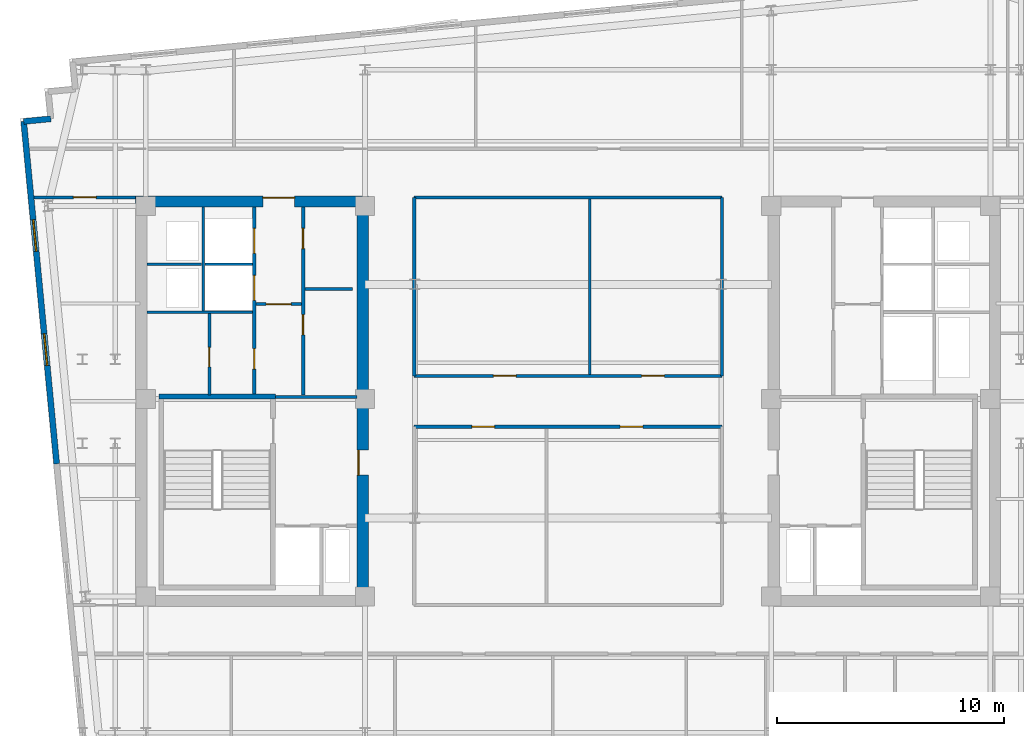
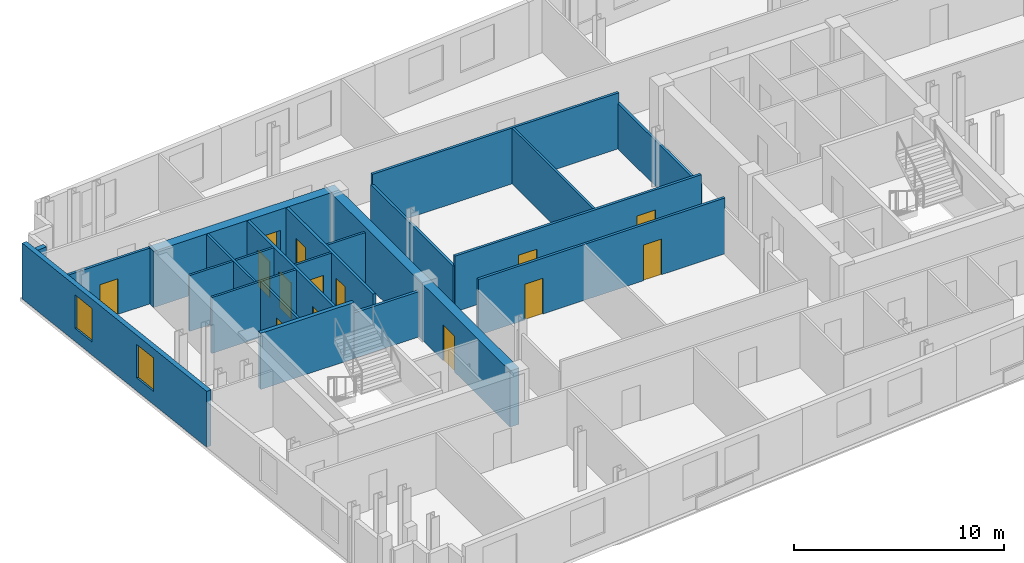
# One storey, part 4 of 9: 22 walls, 14 doors, 2 windows, 16 openings.
"""IFC4 building model written with IfcOpenShell, lengths in metres."""

from ifc_helpers import new_model, si_unit, direction, frame, frame_2d, origin, place, context, subcontext, project, spatial, rectangle, extrude, material, layer, layer_set, type_object, element, fill, save


model = new_model("IFC4")

# Units and contexts
model_context = context("Model", 3, precision=1e-05, world=origin(), true_north=direction((0.0, 1.0)))
body_context = subcontext(model_context, "Body", "Model", "MODEL_VIEW")
ifc_project = project(units=[si_unit("LENGTHUNIT", "METRE"), si_unit("AREAUNIT", "SQUARE_METRE"), si_unit("VOLUMEUNIT", "CUBIC_METRE"), si_unit("PLANEANGLEUNIT", "RADIAN"), si_unit("MASSUNIT", "GRAM", prefix="KILO")], contexts=[model_context])

# Site, building, storey
site_placement = place(None, origin())
site = spatial("IfcSite", under=ifc_project, at=site_placement, CompositionType="ELEMENT")
building_placement = place(site_placement, origin())
building = spatial("IfcBuilding", under=site, at=building_placement, Name="Velakula Bourse", CompositionType="ELEMENT")
storey_placement = place(building_placement, frame((0.0, 0.0, 262.050048828125)))
storey = spatial("IfcBuildingStorey", under=building, at=storey_placement, Name="L71", CompositionType="ELEMENT", Elevation=262.050048828125)

# Wall
ifc_material_1 = material(Name="Concrete M50 (fck 50 MPa)", Category="concrete")
ifc_layer_1 = layer(ifc_material_1, 0.2099609375, Name="Concrete M50 (fck 50 MPa)", Category="concrete")
ifc_layer_set_1 = layer_set([ifc_layer_1], Name="Concrete M50 (fck 50 MPa)")
wall_type_1 = type_object("IfcWallType", Name="WL-CORE-210", PredefinedType="SHEAR", material=ifc_layer_set_1)
wall_1_placement = place(storey_placement, frame((-12.889892578125, 0.205078125, 0.0), z_axis=(0.0, 0.0, 1.0), x_axis=(-1.0, 0.0, 0.0)))
element("IfcWall", 1, at=wall_1_placement, inside=storey, type_object=wall_type_1, Name="L71 Core W Stairwell Shear Wall N", PredefinedType="SHEAR", context=body_context, shape_type="SweptSolid", body=[
    extrude(rectangle(XDim=5.14013671875, YDim=0.2099609375, at=frame_2d((2.570068359375, 0.0))), origin(), (0.0, 0.0, 1.0), 3.27001953125),
])

# Wall, opening, door
ifc_layer_2 = layer(ifc_material_1, 0.5, Name="Concrete M50 (fck 50 MPa)", Category="concrete")
ifc_layer_set_2 = layer_set([ifc_layer_2], Name="Concrete M50 (fck 50 MPa)")
wall_type_2 = type_object("IfcWallType", Name="WL-CORE-500", PredefinedType="SHEAR", material=ifc_layer_set_2)
wall_2_placement = place(storey_placement, frame((-19.050048828125, 8.800048828125, 0.0), z_axis=(0.0, 0.0, 1.0), x_axis=(1.0, 0.0, 0.0)))
wall_2 = element("IfcWall", 2, at=wall_2_placement, inside=storey, type_object=wall_type_2, Name="L71 Core W Shear Wall N", PredefinedType="SHEAR", context=body_context, shape_type="SweptSolid", body=[
    extrude(rectangle(XDim=10.25, YDim=0.5, at=frame_2d((5.125, 0.0))), origin(), (0.0, 0.0, 1.0), 3.27001953125),
])
opening_1_placement = place(wall_2_placement, frame((5.60009765625, 0.0, 0.0)))
opening_1 = element("IfcOpeningElement", 3, at=opening_1_placement, cuts=wall_2, Name="Opening D-LLW", PredefinedType="OPENING", context=body_context, shape_type="SweptSolid", body=[
    extrude(rectangle(XDim=1.39990234375, YDim=2.050048828125, at=frame_2d((0.699951171875, 1.02490234375))), frame((0.0, 0.260009765625, 0.0), z_axis=(0.0, -1.0, 0.0), x_axis=(1.0, 0.0, 0.0)), (0.0, 0.0, 1.0), 0.52001953125),
])
ifc_material_2 = material(Name="Fire-rated hardwood flush architectural door", Category="wood")
door_type_1 = type_object("IfcDoorType", Name="DR-DBL-FD60-1400", OperationType="DOUBLE_DOOR_SINGLE_SWING", PredefinedType="DOOR", material=ifc_material_2)
door_1_placement = place(opening_1_placement, origin())
door_1 = element("IfcDoor", 4, at=door_1_placement, inside=storey, type_object=door_type_1, Name="L71 Core W Lift Lobby Corridor Double Door", OperationType="DOUBLE_DOOR_SINGLE_SWING", OverallHeight=2.050048828125, OverallWidth=1.39990234375, PredefinedType="DOOR", context=body_context, shape_type="SweptSolid", body=[
    extrude(rectangle(XDim=1.39990234375, YDim=2.050048828125, at=frame_2d((0.699951171875, 1.02490234375))), frame((0.0, 0.19482421875, 0.0), z_axis=(0.0, -1.0, 0.0), x_axis=(1.0, 0.0, 0.0)), (0.0, 0.0, 1.0), 0.050048828125),
])
fill(opening_1, door_1)

wall_3_placement = place(storey_placement, frame((-9.050048828125, -8.550048828125, 0.0), z_axis=(0.0, 0.0, 1.0), x_axis=(0.0, 1.0, 0.0)))
wall_3 = element("IfcWall", 5, at=wall_3_placement, inside=storey, type_object=wall_type_2, Name="L71 Core W Shear Wall E", PredefinedType="SHEAR", context=body_context, shape_type="SweptSolid", body=[
    extrude(rectangle(XDim=17.10009765625, YDim=0.5, at=frame_2d((8.550048828125, 0.0))), origin(), (0.0, 0.0, 1.0), 3.27001953125),
])
opening_2_placement = place(wall_3_placement, frame((5.300048828125, 0.0, 0.0)))
opening_2 = element("IfcOpeningElement", 6, at=opening_2_placement, cuts=wall_3, Name="Opening D-FLW", PredefinedType="OPENING", context=body_context, shape_type="SweptSolid", body=[
    extrude(rectangle(XDim=1.10009765625, YDim=2.080078125, at=frame_2d((0.550048828125, 1.0400390625))), frame((0.0, 0.260009765625, 0.0), z_axis=(0.0, -1.0, 0.0), x_axis=(1.0, 0.0, 0.0)), (0.0, 0.0, 1.0), 0.52001953125),
])
ifc_material_3 = material(Name="Galvanised painted hollow steel fire door", Category="steel")
door_type_2 = type_object("IfcDoorType", Name="DR-FD120-1100", OperationType="NOTDEFINED", PredefinedType="DOOR", material=ifc_material_3)
door_2_placement = place(opening_2_placement, origin())
door_2 = element("IfcDoor", 7, at=door_2_placement, inside=storey, type_object=door_type_2, Name="L71 Firefighting Lobby W Corridor Fire Door", OperationType="SINGLE_SWING_LEFT", OverallHeight=2.080078125, OverallWidth=1.10009765625, PredefinedType="DOOR", context=body_context, shape_type="SweptSolid", body=[
    extrude(rectangle(XDim=1.10009765625, YDim=2.080078125, at=frame_2d((0.550048828125, 1.0400390625))), frame((0.0, 0.205078125, 0.0), z_axis=(0.0, -1.0, 0.0), x_axis=(1.0, 0.0, 0.0)), (0.0, 0.0, 1.0), 0.050048828125),
])
fill(opening_2, door_2)

# Wall, openings, windows
ifc_material_4 = material(Name="Buff kilned clay facing brick masonry", Category="masonry")
ifc_layer_3 = layer(ifc_material_4, 0.260009765625, Name="Buff kilned clay facing brick masonry", Category="masonry")
ifc_layer_set_3 = layer_set([ifc_layer_3], Name="Buff kilned clay facing brick masonry")
wall_type_3 = type_object("IfcWallType", Name="WL-EXT-BRK-260", PredefinedType="STANDARD", material=ifc_layer_set_3)
wall_4_placement = place(storey_placement, frame((-22.52734375, -2.75439453125, 0.0), z_axis=(0.0, 0.0, 1.0), x_axis=(-0.095850890337, 0.995395703638, 0.0)))
wall_4 = element("IfcWall", 8, at=wall_4_placement, inside=storey, type_object=wall_type_3, Name="L71 W Brick End Wall W2", PredefinedType="STANDARD", context=body_context, shape_type="SweptSolid", body=[
    extrude(rectangle(XDim=15.150146484375, YDim=0.260009765625, at=frame_2d((7.5751953125, 0.0))), origin(), (0.0, 0.0, 1.0), 3.25),
])
opening_3_placement = place(wall_4_placement, frame((4.35009765625, 0.0, 0.760009765625)))
opening_3 = element("IfcOpeningElement", 9, at=opening_3_placement, cuts=wall_4, Name="Opening W-03", PredefinedType="OPENING", context=body_context, shape_type="SweptSolid", body=[
    extrude(rectangle(XDim=1.39990234375, YDim=1.949951171875, at=frame_2d((0.699951171875, 0.97509765625))), frame((0.0, 0.139892578125, 0.0), z_axis=(0.0, -1.0, 0.0), x_axis=(1.0, 0.0, 0.0)), (0.0, 0.0, 1.0), 0.280029296875),
])
opening_4_placement = place(wall_4_placement, frame((9.39990234375, 0.0, 0.760009765625)))
opening_4 = element("IfcOpeningElement", 10, at=opening_4_placement, cuts=wall_4, Name="Opening W-03", PredefinedType="OPENING", context=body_context, shape_type="SweptSolid", body=[
    extrude(rectangle(XDim=1.39990234375, YDim=1.949951171875, at=frame_2d((0.699951171875, 0.97509765625))), frame((0.0, 0.139892578125, 0.0), z_axis=(0.0, -1.0, 0.0), x_axis=(1.0, 0.0, 0.0)), (0.0, 0.0, 1.0), 0.280029296875),
])
ifc_material_5 = material(Name="Double-glazed solar-control Low-E glass", Category="glass")
window_type = type_object("IfcWindowType", Name="WIN-TWR-1400x2100", PartitioningType="SINGLE_PANEL", PredefinedType="WINDOW", material=ifc_material_5)
window_1_placement = place(opening_3_placement, origin())
window_1 = element("IfcWindow", 11, at=window_1_placement, inside=storey, type_object=window_type, Name="L71 Deep-Set Recessed Window 1", OverallHeight=1.949951171875, OverallWidth=1.39990234375, PartitioningType="SINGLE_PANEL", PredefinedType="WINDOW", context=body_context, shape_type="SweptSolid", body=[
    extrude(rectangle(XDim=1.39990234375, YDim=1.949951171875, at=frame_2d((0.699951171875, 0.97509765625))), frame((0.0, 0.030029296875, 0.0), z_axis=(0.0, -1.0, 0.0), x_axis=(1.0, 0.0, 0.0)), (0.0, 0.0, 1.0), 0.06005859375),
])
fill(opening_3, window_1)
window_2_placement = place(opening_4_placement, origin())
window_2 = element("IfcWindow", 12, at=window_2_placement, inside=storey, type_object=window_type, Name="L71 Deep-Set Recessed Window 2", OverallHeight=1.949951171875, OverallWidth=1.39990234375, PartitioningType="SINGLE_PANEL", PredefinedType="WINDOW", context=body_context, shape_type="SweptSolid", body=[
    extrude(rectangle(XDim=1.39990234375, YDim=1.949951171875, at=frame_2d((0.699951171875, 0.97509765625))), frame((0.0, 0.030029296875, 0.0), z_axis=(0.0, -1.0, 0.0), x_axis=(1.0, 0.0, 0.0)), (0.0, 0.0, 1.0), 0.06005859375),
])
fill(opening_4, window_2)

# Wall
wall_5_placement = place(storey_placement, frame((-22.784912109375, 12.44091796875, 0.0), z_axis=(0.0, 0.0, 1.0), x_axis=(-0.995398960025, -0.095817067274, 0.0)))
element("IfcWall", 13, at=wall_5_placement, inside=storey, type_object=wall_type_3, Name="L71 Serrated Corner Brick Wall NW-4", PredefinedType="STANDARD", context=body_context, shape_type="SweptSolid", body=[
    extrude(rectangle(XDim=1.2001953125, YDim=0.260009765625, at=frame_2d((0.60009765625, 0.0))), origin(), (0.0, 0.0, 1.0), 2.56494140625),
])

# Wall, opening, door
ifc_material_6 = material(Name="Fire-rated double-layer gypsum drywall partition", Category="gypsum")
ifc_layer_4 = layer(ifc_material_6, 0.1201171875, Name="Fire-rated double-layer gypsum drywall partition", Category="gypsum")
ifc_layer_set_4 = layer_set([ifc_layer_4], Name="Fire-rated double-layer gypsum drywall partition")
wall_type_4 = type_object("IfcWallType", Name="WL-PART-120", PredefinedType="STANDARD", material=ifc_layer_set_4)
wall_6_placement = place(storey_placement, frame((-13.75, 4.280029296875, 0.0), z_axis=(0.0, 0.0, 1.0), x_axis=(1.0, 0.0, 0.0)))
wall_6 = element("IfcWall", 14, at=wall_6_placement, inside=storey, type_object=wall_type_4, Name="L71 Interior Partition WL-CRW-L71-LL-K2", PredefinedType="STANDARD", context=body_context, shape_type="SweptSolid", body=[
    extrude(rectangle(XDim=2.0, YDim=0.1201171875, at=frame_2d((1.0, 0.0))), origin(), (0.0, 0.0, 1.0), 3.25),
])
opening_5_placement = place(wall_6_placement, frame((0.449951171875, 0.0, 0.0)))
opening_5 = element("IfcOpeningElement", 15, at=opening_5_placement, cuts=wall_6, Name="Opening D-LK2", PredefinedType="OPENING", context=body_context, shape_type="SweptSolid", body=[
    extrude(rectangle(XDim=1.10009765625, YDim=2.10009765625, at=frame_2d((0.550048828125, 1.050048828125))), frame((0.0, 0.070068359375, 0.0), z_axis=(0.0, -1.0, 0.0), x_axis=(1.0, 0.0, 0.0)), (0.0, 0.0, 1.0), 0.14013671875),
])
door_type_3 = type_object("IfcDoorType", Name="DR-FD60-1100x2100", OperationType="NOTDEFINED", PredefinedType="DOOR", material=ifc_material_2)
door_3_placement = place(opening_5_placement, origin())
door_3 = element("IfcDoor", 16, at=door_3_placement, inside=storey, type_object=door_type_3, Name="L71 Core W Lift Lobby Zone Door", OperationType="SINGLE_SWING_RIGHT", OverallHeight=2.10009765625, OverallWidth=1.10009765625, PredefinedType="DOOR", context=body_context, shape_type="SweptSolid", body=[
    extrude(rectangle(XDim=1.10009765625, YDim=2.10009765625, at=frame_2d((0.550048828125, 1.050048828125))), frame((0.0, 0.02490234375, 0.0), z_axis=(0.0, -1.0, 0.0), x_axis=(1.0, 0.0, 0.0)), (0.0, 0.0, 1.0), 0.050048828125),
])
fill(opening_5, door_3)

# Walls
wall_7_placement = place(storey_placement, frame((-11.60009765625, 4.949951171875, 0.0), z_axis=(0.0, 0.0, 1.0), x_axis=(1.0, 0.0, 0.0)))
element("IfcWall", 17, at=wall_7_placement, inside=storey, type_object=wall_type_4, Name="L71 Interior Partition WL-CRW-L71-RCDIV", PredefinedType="STANDARD", context=body_context, shape_type="SweptSolid", body=[
    extrude(rectangle(XDim=2.10009765625, YDim=0.1201171875, at=frame_2d((1.050048828125, 0.0))), origin(), (0.0, 0.0, 1.0), 3.25),
])
wall_8_placement = place(storey_placement, frame((-18.550048828125, 3.919921875, 0.0), z_axis=(0.0, 0.0, 1.0), x_axis=(1.0, 0.0, 0.0)))
element("IfcWall", 18, at=wall_8_placement, inside=storey, type_object=wall_type_4, Name="L71 Interior Partition WL-CRW-L71-HI-S", PredefinedType="STANDARD", context=body_context, shape_type="SweptSolid", body=[
    extrude(rectangle(XDim=4.650146484375, YDim=0.1201171875, at=frame_2d((2.3251953125, 0.0))), origin(), (0.0, 0.0, 1.0), 3.25),
])
wall_9_placement = place(storey_placement, frame((-18.550048828125, 6.030029296875, 0.0), z_axis=(0.0, 0.0, 1.0), x_axis=(1.0, 0.0, 0.0)))
element("IfcWall", 19, at=wall_9_placement, inside=storey, type_object=wall_type_4, Name="L71 Interior Partition WL-CRW-L71-RIS-MID", PredefinedType="STANDARD", context=body_context, shape_type="SweptSolid", body=[
    extrude(rectangle(XDim=2.400146484375, YDim=0.1201171875, at=frame_2d((1.2001953125, 0.0))), origin(), (0.0, 0.0, 1.0), 3.25),
])
wall_10_placement = place(storey_placement, frame((-16.074951171875, 3.97998046875, 0.0), z_axis=(0.0, 0.0, 1.0), x_axis=(0.0, 1.0, 0.0)))
element("IfcWall", 20, at=wall_10_placement, inside=storey, type_object=wall_type_4, Name="L71 Interior Partition WL-CRW-L71-RIS-F", PredefinedType="STANDARD", context=body_context, shape_type="SweptSolid", body=[
    extrude(rectangle(XDim=4.570068359375, YDim=0.1201171875, at=frame_2d((2.28515625, 0.0))), origin(), (0.0, 0.0, 1.0), 3.25),
])
wall_11_placement = place(storey_placement, frame((-16.0, 6.030029296875, 0.0), z_axis=(0.0, 0.0, 1.0), x_axis=(1.0, 0.0, 0.0)))
element("IfcWall", 21, at=wall_11_placement, inside=storey, type_object=wall_type_4, Name="L71 Interior Partition WL-CRW-L71-HI-DIV", PredefinedType="STANDARD", context=body_context, shape_type="SweptSolid", body=[
    extrude(rectangle(XDim=2.10009765625, YDim=0.1201171875, at=frame_2d((1.050048828125, 0.0))), origin(), (0.0, 0.0, 1.0), 3.25),
])

# Wall, opening, door
wall_12_placement = place(storey_placement, frame((-15.800048828125, 0.27001953125, 0.0), z_axis=(0.0, 0.0, 1.0), x_axis=(0.0, 1.0, 0.0)))
wall_12 = element("IfcWall", 22, at=wall_12_placement, inside=storey, type_object=wall_type_4, Name="L71 Interior Partition WL-CRW-L71-K2", PredefinedType="STANDARD", context=body_context, shape_type="SweptSolid", body=[
    extrude(rectangle(XDim=3.590087890625, YDim=0.1201171875, at=frame_2d((1.794921875, 0.0))), origin(), (0.0, 0.0, 1.0), 3.25),
])
opening_6_placement = place(wall_12_placement, frame((1.25, 0.0, 0.0)))
opening_6 = element("IfcOpeningElement", 23, at=opening_6_placement, cuts=wall_12, Name="Opening D-CE1", PredefinedType="OPENING", context=body_context, shape_type="SweptSolid", body=[
    extrude(rectangle(XDim=0.85009765625, YDim=2.050048828125, at=frame_2d((0.425048828125, 1.02490234375))), frame((0.0, 0.070068359375, 0.0), z_axis=(0.0, -1.0, 0.0), x_axis=(1.0, 0.0, 0.0)), (0.0, 0.0, 1.0), 0.14013671875),
])
door_type_4 = type_object("IfcDoorType", Name="DR-INT-850", OperationType="NOTDEFINED", PredefinedType="DOOR", material=ifc_material_2)
door_4_placement = place(opening_6_placement, origin())
door_4 = element("IfcDoor", 24, at=door_4_placement, inside=storey, type_object=door_type_4, Name="L71 Core Equipment Store Door", OperationType="SINGLE_SWING_RIGHT", OverallHeight=2.050048828125, OverallWidth=0.85009765625, PredefinedType="DOOR", context=body_context, shape_type="SweptSolid", body=[
    extrude(rectangle(XDim=0.85009765625, YDim=2.050048828125, at=frame_2d((0.425048828125, 1.02490234375))), frame((0.0, 0.02490234375, 0.0), z_axis=(0.0, -1.0, 0.0), x_axis=(1.0, 0.0, 0.0)), (0.0, 0.0, 1.0), 0.050048828125),
])
fill(opening_6, door_4)

ifc_layer_5 = layer(ifc_material_6, 0.139892578125, Name="Fire-rated double-layer gypsum drywall partition", Category="gypsum")
ifc_layer_set_5 = layer_set([ifc_layer_5], Name="Fire-rated double-layer gypsum drywall partition")
wall_type_5 = type_object("IfcWallType", Name="WL-PART-140", PredefinedType="STANDARD", material=ifc_layer_set_5)
wall_13_placement = place(storey_placement, frame((-23.526611328125, 8.97998046875, 0.0), z_axis=(0.0, 0.0, 1.0), x_axis=(1.0, 0.0, 0.0)))
wall_13 = element("IfcWall", 25, at=wall_13_placement, inside=storey, type_object=wall_type_5, Name="L71 Interior Partition WL-INT-L71-W-NC", PredefinedType="STANDARD", context=body_context, shape_type="SweptSolid", body=[
    extrude(rectangle(XDim=4.4765625, YDim=0.139892578125, at=frame_2d((2.23828125, 0.0))), origin(), (0.0, 0.0, 1.0), 3.25),
])
opening_7_placement = place(wall_13_placement, frame((1.73828125, 0.0, 0.0)))
opening_7 = element("IfcOpeningElement", 26, at=opening_7_placement, cuts=wall_13, Name="Opening D-OF1", PredefinedType="OPENING", context=body_context, shape_type="SweptSolid", body=[
    extrude(rectangle(XDim=1.0, YDim=2.080078125, at=frame_2d((0.5, 1.0400390625))), frame((0.0, 0.079833984375, 0.0), z_axis=(0.0, -1.0, 0.0), x_axis=(1.0, 0.0, 0.0)), (0.0, 0.0, 1.0), 0.159912109375),
])
door_type_5 = type_object("IfcDoorType", Name="DR-OFF-1000", OperationType="NOTDEFINED", PredefinedType="DOOR", material=ifc_material_2)
door_5_placement = place(opening_7_placement, origin())
door_5 = element("IfcDoor", 27, at=door_5_placement, inside=storey, type_object=door_type_5, Name="L71 Company Secretary Office Door", OperationType="SINGLE_SWING_LEFT", OverallHeight=2.080078125, OverallWidth=1.0, PredefinedType="DOOR", context=body_context, shape_type="SweptSolid", body=[
    extrude(rectangle(XDim=1.0, YDim=2.080078125, at=frame_2d((0.5, 1.0400390625))), frame((0.0, 0.02490234375, 0.0), z_axis=(0.0, -1.0, 0.0), x_axis=(1.0, 0.0, 0.0)), (0.0, 0.0, 1.0), 0.050048828125),
])
fill(opening_7, door_5)

# Wall, openings, doors
wall_14_placement = place(storey_placement, frame((-6.780029296875, 1.1201171875, 0.0), z_axis=(0.0, 0.0, 1.0), x_axis=(1.0, 0.0, 0.0)))
wall_14 = element("IfcWall", 28, at=wall_14_placement, inside=storey, type_object=wall_type_5, Name="L71 Interior Partition WL-INT-L71-MN-IN", PredefinedType="STANDARD", context=body_context, shape_type="SweptSolid", body=[
    extrude(rectangle(XDim=13.56005859375, YDim=0.139892578125, at=frame_2d((6.780029296875, 0.0))), origin(), (0.0, 0.0, 1.0), 3.25),
])
opening_8_placement = place(wall_14_placement, frame((3.490966796875, 0.0, 0.0)))
opening_8 = element("IfcOpeningElement", 29, at=opening_8_placement, cuts=wall_14, Name="Opening D-OF1", PredefinedType="OPENING", context=body_context, shape_type="SweptSolid", body=[
    extrude(rectangle(XDim=1.0, YDim=2.080078125, at=frame_2d((0.5, 1.0400390625))), frame((0.0, 0.079833984375, 0.0), z_axis=(0.0, -1.0, 0.0), x_axis=(1.0, 0.0, 0.0)), (0.0, 0.0, 1.0), 0.159912109375),
])
opening_9_placement = place(wall_14_placement, frame((10.01904296875, 0.0, 0.0)))
opening_9 = element("IfcOpeningElement", 30, at=opening_9_placement, cuts=wall_14, Name="Opening D-OF1", PredefinedType="OPENING", context=body_context, shape_type="SweptSolid", body=[
    extrude(rectangle(XDim=1.0, YDim=2.080078125, at=frame_2d((0.5, 1.0400390625))), frame((0.0, 0.079833984375, 0.0), z_axis=(0.0, -1.0, 0.0), x_axis=(1.0, 0.0, 0.0)), (0.0, 0.0, 1.0), 0.159912109375),
])
door_6_placement = place(opening_8_placement, origin())
door_6 = element("IfcDoor", 31, at=door_6_placement, inside=storey, type_object=door_type_5, Name="L71 Issuer Relations Office Door", OperationType="SINGLE_SWING_LEFT", OverallHeight=2.080078125, OverallWidth=1.0, PredefinedType="DOOR", context=body_context, shape_type="SweptSolid", body=[
    extrude(rectangle(XDim=1.0, YDim=2.080078125, at=frame_2d((0.5, 1.0400390625))), frame((0.0, 0.02490234375, 0.0), z_axis=(0.0, -1.0, 0.0), x_axis=(1.0, 0.0, 0.0)), (0.0, 0.0, 1.0), 0.050048828125),
])
fill(opening_8, door_6)
door_7_placement = place(opening_9_placement, origin())
door_7 = element("IfcDoor", 32, at=door_7_placement, inside=storey, type_object=door_type_5, Name="L71 Asset Allocation Office Door", OperationType="SINGLE_SWING_RIGHT", OverallHeight=2.080078125, OverallWidth=1.0, PredefinedType="DOOR", context=body_context, shape_type="SweptSolid", body=[
    extrude(rectangle(XDim=1.0, YDim=2.080078125, at=frame_2d((0.5, 1.0400390625))), frame((0.0, 0.02490234375, 0.0), z_axis=(0.0, -1.0, 0.0), x_axis=(1.0, 0.0, 0.0)), (0.0, 0.0, 1.0), 0.050048828125),
])
fill(opening_9, door_7)

# Walls
wall_15_placement = place(storey_placement, frame((-6.780029296875, 8.97998046875, 0.0), z_axis=(0.0, 0.0, 1.0), x_axis=(1.0, 0.0, 0.0)))
element("IfcWall", 33, at=wall_15_placement, inside=storey, type_object=wall_type_5, Name="L71 Interior Partition WL-INT-L71-MN-OUT", PredefinedType="STANDARD", context=body_context, shape_type="SweptSolid", body=[
    extrude(rectangle(XDim=13.56005859375, YDim=0.139892578125, at=frame_2d((6.780029296875, 0.0))), origin(), (0.0, 0.0, 1.0), 3.25),
])
for number, where, z_axis, x_axis, name in (
    (34, (-6.780029296875, 1.1201171875, 0.0), (0.0, 0.0, 1.0), (0.0, 1.0, 0.0), "L71 Interior Partition WL-INT-L71-MN-W"),
    (35, (6.780029296875, 1.1201171875, 0.0), (0.0, 0.0, 1.0), (0.0, 1.0, 0.0), "L71 Interior Partition WL-INT-L71-MN-E"),
):
    element("IfcWall", number, at=place(storey_placement, frame(where, z_axis=z_axis, x_axis=x_axis)), inside=storey, type_object=wall_type_5, Name=name, PredefinedType="STANDARD", context=body_context, shape_type="SweptSolid", body=[
        extrude(rectangle(XDim=7.85986328125, YDim=0.139892578125, at=frame_2d((3.929931640625, 0.0))), origin(), (0.0, 0.0, 1.0), 2.64501953125),
    ])
wall_16_placement = place(storey_placement, frame((0.949951171875, 1.18994140625, 0.0), z_axis=(0.0, 0.0, 1.0), x_axis=(0.0, 1.0, 0.0)))
element("IfcWall", 36, at=wall_16_placement, inside=storey, type_object=wall_type_5, Name="L71 Interior Partition WL-INT-L71-MN-V1", PredefinedType="STANDARD", context=body_context, shape_type="SweptSolid", body=[
    extrude(rectangle(XDim=7.719970703125, YDim=0.1201171875, at=frame_2d((3.85986328125, 0.0))), origin(), (0.0, 0.0, 1.0), 3.25),
])

# Wall, openings, doors
wall_17_placement = place(storey_placement, frame((-6.780029296875, -1.1201171875, 0.0), z_axis=(0.0, 0.0, 1.0), x_axis=(1.0, 0.0, 0.0)))
wall_17 = element("IfcWall", 37, at=wall_17_placement, inside=storey, type_object=wall_type_5, Name="L71 Interior Partition WL-INT-L71-MS-IN", PredefinedType="STANDARD", context=body_context, shape_type="SweptSolid", body=[
    extrude(rectangle(XDim=13.56005859375, YDim=0.139892578125, at=frame_2d((6.780029296875, 0.0))), origin(), (0.0, 0.0, 1.0), 3.25),
])
opening_10_placement = place(wall_17_placement, frame((2.541015625, 0.0, 0.0)))
opening_10 = element("IfcOpeningElement", 38, at=opening_10_placement, cuts=wall_17, Name="Opening D-OF1", PredefinedType="OPENING", context=body_context, shape_type="SweptSolid", body=[
    extrude(rectangle(XDim=1.0, YDim=2.080078125, at=frame_2d((0.5, 1.0400390625))), frame((0.0, 0.079833984375, 0.0), z_axis=(0.0, -1.0, 0.0), x_axis=(1.0, 0.0, 0.0)), (0.0, 0.0, 1.0), 0.159912109375),
])
opening_11_placement = place(wall_17_placement, frame((9.069091796875, 0.0, 0.0)))
opening_11 = element("IfcOpeningElement", 39, at=opening_11_placement, cuts=wall_17, Name="Opening D-OF1", PredefinedType="OPENING", context=body_context, shape_type="SweptSolid", body=[
    extrude(rectangle(XDim=1.0, YDim=2.080078125, at=frame_2d((0.5, 1.0400390625))), frame((0.0, 0.079833984375, 0.0), z_axis=(0.0, -1.0, 0.0), x_axis=(1.0, 0.0, 0.0)), (0.0, 0.0, 1.0), 0.159912109375),
])
door_8_placement = place(opening_10_placement, origin())
door_8 = element("IfcDoor", 40, at=door_8_placement, inside=storey, type_object=door_type_5, Name="L71 Company Secretary Office Door", OperationType="SINGLE_SWING_LEFT", OverallHeight=2.080078125, OverallWidth=1.0, PredefinedType="DOOR", context=body_context, shape_type="SweptSolid", body=[
    extrude(rectangle(XDim=1.0, YDim=2.080078125, at=frame_2d((0.5, 1.0400390625))), frame((0.0, 0.02490234375, 0.0), z_axis=(0.0, -1.0, 0.0), x_axis=(1.0, 0.0, 0.0)), (0.0, 0.0, 1.0), 0.050048828125),
])
fill(opening_10, door_8)
door_9_placement = place(opening_11_placement, origin())
door_9 = element("IfcDoor", 41, at=door_9_placement, inside=storey, type_object=door_type_5, Name="L71 General Counsel Office Door", OperationType="SINGLE_SWING_RIGHT", OverallHeight=2.080078125, OverallWidth=1.0, PredefinedType="DOOR", context=body_context, shape_type="SweptSolid", body=[
    extrude(rectangle(XDim=1.0, YDim=2.080078125, at=frame_2d((0.5, 1.0400390625))), frame((0.0, 0.02490234375, 0.0), z_axis=(0.0, -1.0, 0.0), x_axis=(1.0, 0.0, 0.0)), (0.0, 0.0, 1.0), 0.050048828125),
])
fill(opening_11, door_9)

# Wall
ifc_material_7 = material(Name="Autoclaved aerated concrete blockwork masonry", Category="masonry")
ifc_layer_6 = layer(ifc_material_7, 0.14990234375, Name="Autoclaved aerated concrete blockwork masonry", Category="masonry")
ifc_layer_set_6 = layer_set([ifc_layer_6], Name="Autoclaved aerated concrete blockwork masonry")
wall_type_6 = type_object("IfcWallType", Name="WL-SHAFT-150", PredefinedType="STANDARD", material=ifc_layer_set_6)
wall_18_placement = place(storey_placement, frame((-12.889892578125, 0.18994140625, 0.0), z_axis=(0.0, 0.0, 1.0), x_axis=(1.0, 0.0, 0.0)))
element("IfcWall", 42, at=wall_18_placement, inside=storey, type_object=wall_type_6, Name="L71 Interior Partition WL-CRW-L71-FF-TOP", PredefinedType="STANDARD", context=body_context, shape_type="SweptSolid", body=[
    extrude(rectangle(XDim=3.58984375, YDim=0.14990234375, at=frame_2d((1.794921875, 0.0))), origin(), (0.0, 0.0, 1.0), 2.64501953125),
])

# Wall, openings, doors
wall_19_placement = place(storey_placement, frame((-11.675048828125, 0.27001953125, 0.0), z_axis=(0.0, 0.0, 1.0), x_axis=(0.0, 1.0, 0.0)))
wall_19 = element("IfcWall", 43, at=wall_19_placement, inside=storey, type_object=wall_type_6, Name="L71 Interior Partition WL-CRW-L71-BANK-F", PredefinedType="STANDARD", context=body_context, shape_type="SweptSolid", body=[
    extrude(rectangle(XDim=8.280029296875, YDim=0.14990234375, at=frame_2d((4.14013671875, 0.0))), origin(), (0.0, 0.0, 1.0), 3.25),
])
opening_12_placement = place(wall_19_placement, frame((2.64990234375, 0.0, 0.0)))
opening_12 = element("IfcOpeningElement", 44, at=opening_12_placement, cuts=wall_19, Name="Opening D-RC1", PredefinedType="OPENING", context=body_context, shape_type="SweptSolid", body=[
    extrude(rectangle(XDim=0.89990234375, YDim=2.050048828125, at=frame_2d((0.449951171875, 1.02490234375))), frame((0.0, 0.0849609375, 0.0), z_axis=(0.0, -1.0, 0.0), x_axis=(1.0, 0.0, 0.0)), (0.0, 0.0, 1.0), 0.169921875),
])
opening_13_placement = place(wall_19_placement, frame((6.449951171875, 0.0, 0.0)))
opening_13 = element("IfcOpeningElement", 45, at=opening_13_placement, cuts=wall_19, Name="Opening D-RC1", PredefinedType="OPENING", context=body_context, shape_type="SweptSolid", body=[
    extrude(rectangle(XDim=0.89990234375, YDim=2.050048828125, at=frame_2d((0.449951171875, 1.02490234375))), frame((0.0, 0.0849609375, 0.0), z_axis=(0.0, -1.0, 0.0), x_axis=(1.0, 0.0, 0.0)), (0.0, 0.0, 1.0), 0.169921875),
])
door_type_6 = type_object("IfcDoorType", Name="DR-FD60-900", OperationType="NOTDEFINED", PredefinedType="DOOR", material=ifc_material_2)
door_10_placement = place(opening_12_placement, origin())
door_10 = element("IfcDoor", 46, at=door_10_placement, inside=storey, type_object=door_type_6, Name="L71 Reclaimed Archive Room Door", OperationType="SINGLE_SWING_RIGHT", OverallHeight=2.050048828125, OverallWidth=0.89990234375, PredefinedType="DOOR", context=body_context, shape_type="SweptSolid", body=[
    extrude(rectangle(XDim=0.89990234375, YDim=2.050048828125, at=frame_2d((0.449951171875, 1.02490234375))), frame((0.0, 0.02490234375, 0.0), z_axis=(0.0, -1.0, 0.0), x_axis=(1.0, 0.0, 0.0)), (0.0, 0.0, 1.0), 0.050048828125),
])
fill(opening_12, door_10)
door_11_placement = place(opening_13_placement, origin())
door_11 = element("IfcDoor", 47, at=door_11_placement, inside=storey, type_object=door_type_6, Name="L71 Reclaimed Registry Store Door", OperationType="SINGLE_SWING_LEFT", OverallHeight=2.050048828125, OverallWidth=0.89990234375, PredefinedType="DOOR", context=body_context, shape_type="SweptSolid", body=[
    extrude(rectangle(XDim=0.89990234375, YDim=2.050048828125, at=frame_2d((0.449951171875, 1.02490234375))), frame((0.0, 0.02490234375, 0.0), z_axis=(0.0, -1.0, 0.0), x_axis=(1.0, 0.0, 0.0)), (0.0, 0.0, 1.0), 0.050048828125),
])
fill(opening_13, door_11)

wall_20_placement = place(storey_placement, frame((-13.824951171875, 0.27001953125, 0.0), z_axis=(0.0, 0.0, 1.0), x_axis=(0.0, 1.0, 0.0)))
wall_20 = element("IfcWall", 48, at=wall_20_placement, inside=storey, type_object=wall_type_6, Name="L71 Interior Partition WL-CRW-L71-OUT-F", PredefinedType="STANDARD", context=body_context, shape_type="SweptSolid", body=[
    extrude(rectangle(XDim=8.280029296875, YDim=0.14990234375, at=frame_2d((4.14013671875, 0.0))), origin(), (0.0, 0.0, 1.0), 3.25),
])
opening_14_placement = place(wall_20_placement, frame((4.175048828125, 0.0, 0.0)))
opening_14 = element("IfcOpeningElement", 49, at=opening_14_placement, cuts=wall_20, Name="Opening LD-P9", PredefinedType="OPENING", context=body_context, shape_type="SweptSolid", body=[
    extrude(rectangle(XDim=1.10009765625, YDim=2.10009765625, at=frame_2d((0.550048828125, 1.050048828125))), frame((0.0, 0.0849609375, 0.0), z_axis=(0.0, -1.0, 0.0), x_axis=(1.0, 0.0, 0.0)), (0.0, 0.0, 1.0), 0.169921875),
])
opening_15_placement = place(wall_20_placement, frame((6.2451171875, 0.0, 0.0)))
opening_15 = element("IfcOpeningElement", 50, at=opening_15_placement, cuts=wall_20, Name="Opening LD-P10", PredefinedType="OPENING", context=body_context, shape_type="SweptSolid", body=[
    extrude(rectangle(XDim=1.10009765625, YDim=2.10009765625, at=frame_2d((0.550048828125, 1.050048828125))), frame((0.0, 0.0849609375, 0.0), z_axis=(0.0, -1.0, 0.0), x_axis=(1.0, 0.0, 0.0)), (0.0, 0.0, 1.0), 0.169921875),
])
opening_16_placement = place(wall_20_placement, frame((1.14990234375, 0.0, 0.0)))
opening_16 = element("IfcOpeningElement", 51, at=opening_16_placement, cuts=wall_20, Name="Opening D-CP1", PredefinedType="OPENING", context=body_context, shape_type="SweptSolid", body=[
    extrude(rectangle(XDim=0.89990234375, YDim=2.050048828125, at=frame_2d((0.449951171875, 1.02490234375))), frame((0.0, 0.0849609375, 0.0), z_axis=(0.0, -1.0, 0.0), x_axis=(1.0, 0.0, 0.0)), (0.0, 0.0, 1.0), 0.169921875),
])
door_type_7 = type_object("IfcDoorType", Name="DR-INT-900", OperationType="NOTDEFINED", PredefinedType="DOOR", material=ifc_material_2)
door_12_placement = place(opening_16_placement, origin())
door_12 = element("IfcDoor", 52, at=door_12_placement, inside=storey, type_object=door_type_7, Name="L71 Core Tea Pantry Door", OperationType="SINGLE_SWING_LEFT", OverallHeight=2.050048828125, OverallWidth=0.89990234375, PredefinedType="DOOR", context=body_context, shape_type="SweptSolid", body=[
    extrude(rectangle(XDim=0.89990234375, YDim=2.050048828125, at=frame_2d((0.449951171875, 1.02490234375))), frame((0.0, 0.02490234375, 0.0), z_axis=(0.0, -1.0, 0.0), x_axis=(1.0, 0.0, 0.0)), (0.0, 0.0, 1.0), 0.050048828125),
])
fill(opening_16, door_12)
ifc_material_8 = material(Name="Brushed grade 316 stainless steel", Category="steel")
door_type_8 = type_object("IfcDoorType", Name="DR-SLIDE-LD-1100", OperationType="DOUBLE_DOOR_SLIDING", PredefinedType="DOOR", material=ifc_material_8)
door_13_placement = place(opening_14_placement, origin())
door_13 = element("IfcDoor", 53, at=door_13_placement, inside=storey, type_object=door_type_8, Name="L71 Passenger Lift P9 Sliding Landing Door", OperationType="DOUBLE_DOOR_SLIDING", OverallHeight=2.10009765625, OverallWidth=1.10009765625, PredefinedType="DOOR", context=body_context, shape_type="SweptSolid", body=[
    extrude(rectangle(XDim=1.10009765625, YDim=2.10009765625, at=frame_2d((0.550048828125, 1.050048828125))), frame((0.0, 0.02490234375, 0.0), z_axis=(0.0, -1.0, 0.0), x_axis=(1.0, 0.0, 0.0)), (0.0, 0.0, 1.0), 0.050048828125),
])
fill(opening_14, door_13)
door_14_placement = place(opening_15_placement, origin())
door_14 = element("IfcDoor", 54, at=door_14_placement, inside=storey, type_object=door_type_8, Name="L71 Passenger Lift P10 Sliding Landing Door", OperationType="DOUBLE_DOOR_SLIDING", OverallHeight=2.10009765625, OverallWidth=1.10009765625, PredefinedType="DOOR", context=body_context, shape_type="SweptSolid", body=[
    extrude(rectangle(XDim=1.10009765625, YDim=2.10009765625, at=frame_2d((0.550048828125, 1.050048828125))), frame((0.0, 0.02490234375, 0.0), z_axis=(0.0, -1.0, 0.0), x_axis=(1.0, 0.0, 0.0)), (0.0, 0.0, 1.0), 0.050048828125),
])
fill(opening_15, door_14)

save(model, "model.ifc")
